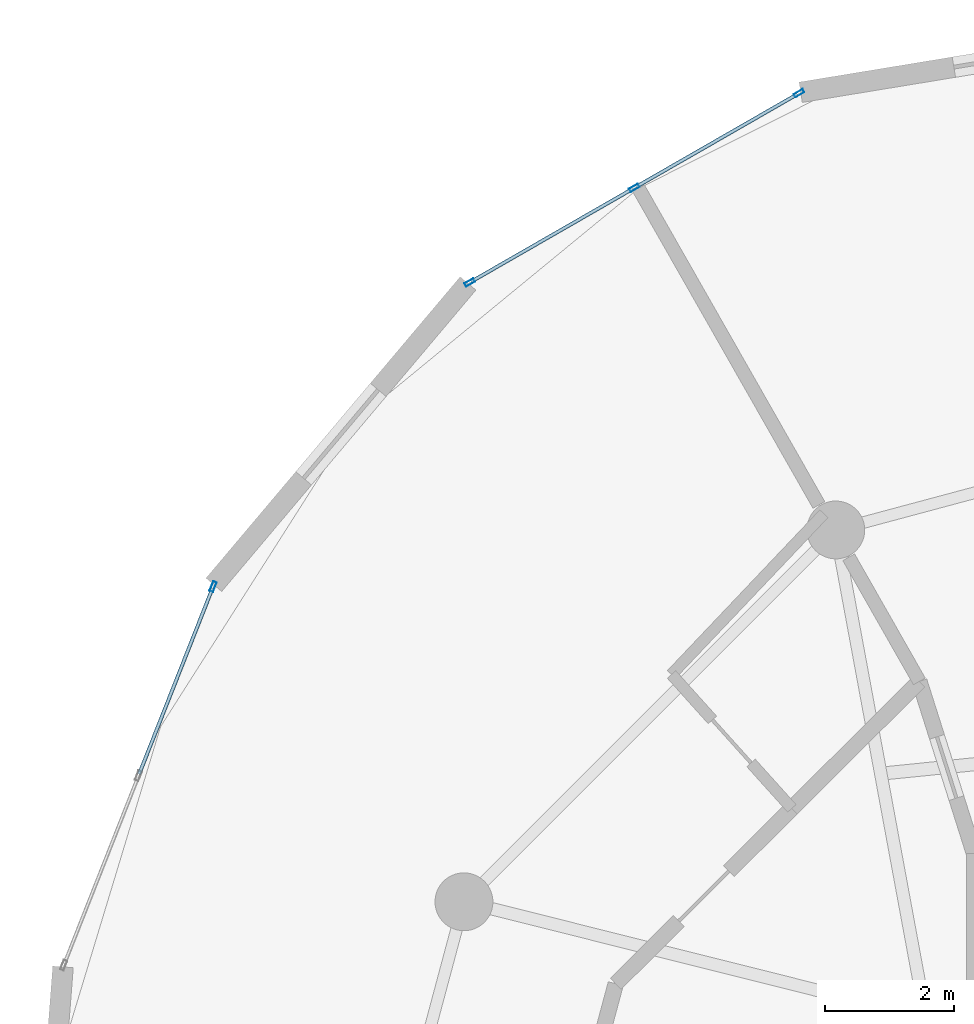
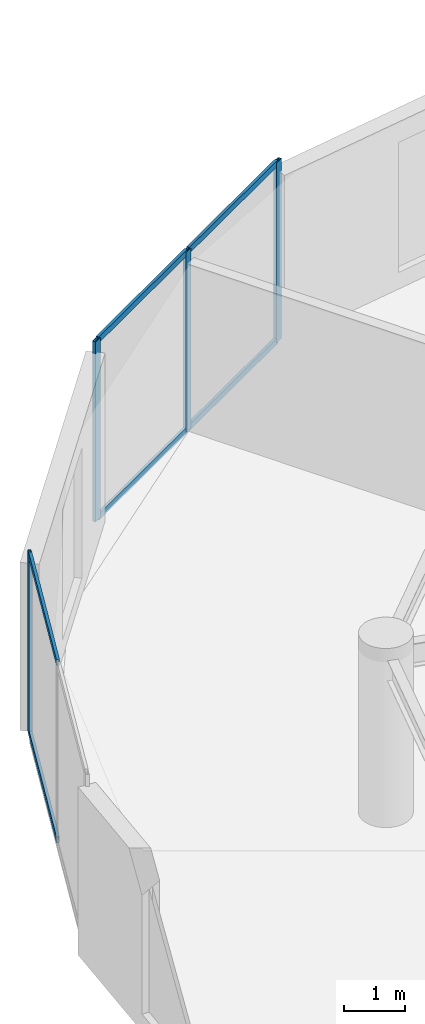
# One storey, part 13 of 21: 10 members, 2 elements without a shape of their own.
"""IFC4 building model written with IfcOpenShell, lengths in metres."""

from ifc_helpers import new_model, si_unit, direction, frame, origin, origin_2d, place, context, subcontext, project, spatial, hollow_rectangle, extrude, source, transform, mapped, material, layer, layer_set, material_profile, profile_set, type_object, element, aggregate, save


model = new_model("IFC4")

# Units and contexts
model_context = context("Model", 3, precision=1e-05, world=origin(), true_north=direction((0.0, 1.0)))
body_context = subcontext(model_context, "Body", "Model", "MODEL_VIEW")
ifc_project = project(units=[si_unit("LENGTHUNIT", "METRE"), si_unit("AREAUNIT", "SQUARE_METRE"), si_unit("VOLUMEUNIT", "CUBIC_METRE"), si_unit("PLANEANGLEUNIT", "RADIAN"), si_unit("MASSUNIT", "GRAM", prefix="KILO")], contexts=[model_context])

# Site, building, storey
site_placement = place(None, origin())
site = spatial("IfcSite", under=ifc_project, at=site_placement, CompositionType="ELEMENT")
building_placement = place(site_placement, origin())
building = spatial("IfcBuilding", under=site, at=building_placement, Name="Solvirekh Grand Hotel", CompositionType="ELEMENT")
storey_placement = place(building_placement, frame((0.0, 0.0, 220.0)))
storey = spatial("IfcBuildingStorey", under=building, at=storey_placement, Name="L57", CompositionType="ELEMENT", Elevation=220.0)

# Curtain wall, members
ifc_material = material(Name="Anodized Bronze Aluminium 6063-T6", Category="aluminium")
ifc_layer = layer(ifc_material, 0.159912109375)
ifc_layer_set = layer_set([ifc_layer], Name="Anodized Bronze Aluminium 6063-T6")
curtain_wall_type = type_object("IfcCurtainWallType", Name="CW_Sys4_HighZoneFlushBronzeCW", PredefinedType="NOTDEFINED", material=ifc_layer_set)
curtain_wall_1_placement = place(storey_placement, origin())
curtain_wall_1 = element("IfcCurtainWall", 1, at=curtain_wall_1_placement, inside=storey, type_object=curtain_wall_type, Name="L57 unitised bronze-glass curtain wall CW-L57-C11", PredefinedType="NOTDEFINED")
ifc_material_profile_1 = material_profile(ifc_material, hollow_rectangle(XDim=0.06005859375, YDim=0.159912109375, WallThickness=0.0048828125, at=origin_2d()), Name="ALU RHS 160X60X5")
ifc_profile_set_1 = profile_set([ifc_material_profile_1], Name="Anodized Bronze Aluminium 6063-T6")
member_type_1 = type_object("IfcMemberType", Name="CWMullion_Sys4", PredefinedType="MULLION", material=ifc_profile_set_1)
shared_shape_1 = source(origin(), body_context, "Body", "SweptSolid", [
    extrude(hollow_rectangle(XDim=0.06005859375, YDim=0.159912109375, WallThickness=0.0048828125, at=origin_2d()), origin(), (0.0, 0.0, 1.0), 3.60009765625),
])
member_1_placement = place(storey_placement, frame((-8.471923828125, 20.47509765625, 0.0), z_axis=(0.0, 0.0, 1.0), x_axis=(0.498212924727, -0.867054716632, 0.0)))
member_1 = element("IfcMember", 2, at=member_1_placement, type_object=member_type_1, Name="U04 mullion 1", PredefinedType="MULLION", context=body_context, shape_type="MappedRepresentation", body=[
    mapped(shared_shape_1, transform((0.0, 0.0, 0.0), x_axis=(1.0, 0.0, 0.0), y_axis=(0.0, 1.0, 0.0), z_axis=(0.0, 0.0, 1.0), scale=1.0)),
])
member_2_placement = place(storey_placement, frame((-11.032958984375, 19.00341796875, 0.0), z_axis=(0.0, 0.0, 1.0), x_axis=(0.498212924727, -0.867054716632, 0.0)))
member_2 = element("IfcMember", 3, at=member_2_placement, type_object=member_type_1, Name="U04 mullion 2", PredefinedType="MULLION", context=body_context, shape_type="MappedRepresentation", body=[
    mapped(shared_shape_1, transform((0.0, 0.0, 0.0), x_axis=(1.0, 0.0, 0.0), y_axis=(0.0, 1.0, 0.0), z_axis=(0.0, 0.0, 1.0), scale=1.0)),
])
member_3_placement = place(storey_placement, frame((-13.593994140625, 17.531982421875, 0.0), z_axis=(0.0, 0.0, 1.0), x_axis=(0.498212924727, -0.867054716632, 0.0)))
member_3 = element("IfcMember", 4, at=member_3_placement, type_object=member_type_1, Name="U04 mullion 3", PredefinedType="MULLION", context=body_context, shape_type="MappedRepresentation", body=[
    mapped(shared_shape_1, transform((0.0, 0.0, 0.0), x_axis=(1.0, 0.0, 0.0), y_axis=(0.0, 1.0, 0.0), z_axis=(0.0, 0.0, 1.0), scale=1.0)),
])

curtain_wall_2_placement = place(storey_placement, origin())
curtain_wall_2 = element("IfcCurtainWall", 5, at=curtain_wall_2_placement, inside=storey, type_object=curtain_wall_type, Name="L57 unitised bronze-glass curtain wall CW-L57-C13", PredefinedType="NOTDEFINED")
member_4_placement = place(storey_placement, frame((-17.583984375, 12.802001953125, 0.0), z_axis=(0.0, 0.0, 1.0), x_axis=(0.930151001354, -0.367177225165, 0.0)))
member_4 = element("IfcMember", 6, at=member_4_placement, type_object=member_type_1, Name="U04 mullion 1", PredefinedType="MULLION", context=body_context, shape_type="MappedRepresentation", body=[
    mapped(shared_shape_1, transform((0.0, 0.0, 0.0), x_axis=(1.0, 0.0, 0.0), y_axis=(0.0, 1.0, 0.0), z_axis=(0.0, 0.0, 1.0), scale=1.0)),
])
ifc_material_profile_2 = material_profile(ifc_material, hollow_rectangle(XDim=0.054931640625, YDim=0.1201171875, WallThickness=0.00390625, at=origin_2d()), Name="ALU RHS 120X55X4")
ifc_profile_set_2 = profile_set([ifc_material_profile_2], Name="Anodized Bronze Aluminium 6063-T6")
member_type_2 = type_object("IfcMemberType", Name="CWTransom_Sys4", PredefinedType="USERDEFINED", material=ifc_profile_set_2)
shared_shape_2 = source(origin(), body_context, "Body", "SweptSolid", [
    extrude(hollow_rectangle(XDim=0.054931640625, YDim=0.1201171875, WallThickness=0.00390625, at=origin_2d()), origin(), (0.0, 0.0, 1.0), 3.1044921875),
])
member_5_placement = place(storey_placement, frame((-17.594970703125, 12.774169921875, 0.027587890625), z_axis=(-0.367170115704, -0.930153807784, 0.0), x_axis=(0.930153807784, -0.367170115704, 0.0)))
member_5 = element("IfcMember", 7, at=member_5_placement, type_object=member_type_2, Name="U04 transom 1.1", ObjectType="TRANSOM", PredefinedType="USERDEFINED", context=body_context, shape_type="MappedRepresentation", body=[
    mapped(shared_shape_2, transform((0.0, 0.0, 0.0), x_axis=(1.0, 0.0, 0.0), y_axis=(0.0, 1.0, 0.0), z_axis=(0.0, 0.0, 1.0), scale=1.0)),
])
member_6_placement = place(storey_placement, frame((-17.594970703125, 12.774169921875, 3.572509765625), z_axis=(-0.367170115704, -0.930153807784, 0.0), x_axis=(0.930153807784, -0.367170115704, 0.0)))
member_6 = element("IfcMember", 8, at=member_6_placement, type_object=member_type_2, Name="U04 transom 1.2", ObjectType="TRANSOM", PredefinedType="USERDEFINED", context=body_context, shape_type="MappedRepresentation", body=[
    mapped(shared_shape_2, transform((0.0, 0.0, 0.0), x_axis=(1.0, 0.0, 0.0), y_axis=(0.0, 1.0, 0.0), z_axis=(0.0, 0.0, 1.0), scale=1.0)),
])
aggregate(curtain_wall_2, [member_4, member_5, member_6])

# Member
shared_shape_3 = source(origin(), body_context, "Body", "SweptSolid", [
    extrude(hollow_rectangle(XDim=0.054931640625, YDim=0.1201171875, WallThickness=0.00390625, at=origin_2d()), origin(), (0.0, 0.0, 1.0), 2.8935546875),
])
member_7_placement = place(storey_placement, frame((-11.05908203125, 18.988525390625, 0.027587890625), z_axis=(-0.867041176766, -0.498236487817, 0.0), x_axis=(0.498236487817, -0.867041176766, 0.0)))
member_7 = element("IfcMember", 9, at=member_7_placement, type_object=member_type_2, Name="U04 transom 2.1", ObjectType="TRANSOM", PredefinedType="USERDEFINED", context=body_context, shape_type="MappedRepresentation", body=[
    mapped(shared_shape_3, transform((0.0, 0.0, 0.0), x_axis=(1.0, 0.0, 0.0), y_axis=(0.0, 1.0, 0.0), z_axis=(0.0, 0.0, 1.0), scale=1.0)),
])

member_8_placement = place(storey_placement, frame((-11.05908203125, 18.988525390625, 3.572509765625), z_axis=(-0.867041176766, -0.498236487817, 0.0), x_axis=(0.498236487817, -0.867041176766, 0.0)))
member_8 = element("IfcMember", 10, at=member_8_placement, type_object=member_type_2, Name="U04 transom 2.2", ObjectType="TRANSOM", PredefinedType="USERDEFINED", context=body_context, shape_type="MappedRepresentation", body=[
    mapped(shared_shape_3, transform((0.0, 0.0, 0.0), x_axis=(1.0, 0.0, 0.0), y_axis=(0.0, 1.0, 0.0), z_axis=(0.0, 0.0, 1.0), scale=1.0)),
])

shared_shape_4 = source(origin(), body_context, "Body", "SweptSolid", [
    extrude(hollow_rectangle(XDim=0.054931640625, YDim=0.1201171875, WallThickness=0.00390625, at=origin_2d()), origin(), (0.0, 0.0, 1.0), 2.893798828125),
])
member_9_placement = place(storey_placement, frame((-8.498046875, 20.460205078125, 0.027587890625), z_axis=(-0.867062119773, -0.498200040601, 0.0), x_axis=(0.498200040601, -0.867062119773, 0.0)))
member_9 = element("IfcMember", 11, at=member_9_placement, type_object=member_type_2, Name="U04 transom 1.1", ObjectType="TRANSOM", PredefinedType="USERDEFINED", context=body_context, shape_type="MappedRepresentation", body=[
    mapped(shared_shape_4, transform((0.0, 0.0, 0.0), x_axis=(1.0, 0.0, 0.0), y_axis=(0.0, 1.0, 0.0), z_axis=(0.0, 0.0, 1.0), scale=1.0)),
])

member_10_placement = place(storey_placement, frame((-8.498046875, 20.460205078125, 3.572509765625), z_axis=(-0.867062119773, -0.498200040601, 0.0), x_axis=(0.498200040601, -0.867062119773, 0.0)))
member_10 = element("IfcMember", 12, at=member_10_placement, type_object=member_type_2, Name="U04 transom 1.2", ObjectType="TRANSOM", PredefinedType="USERDEFINED", context=body_context, shape_type="MappedRepresentation", body=[
    mapped(shared_shape_4, transform((0.0, 0.0, 0.0), x_axis=(1.0, 0.0, 0.0), y_axis=(0.0, 1.0, 0.0), z_axis=(0.0, 0.0, 1.0), scale=1.0)),
])

aggregate(curtain_wall_1, [member_1, member_2, member_3, member_9, member_10, member_7, member_8])

save(model, "model.ifc")
